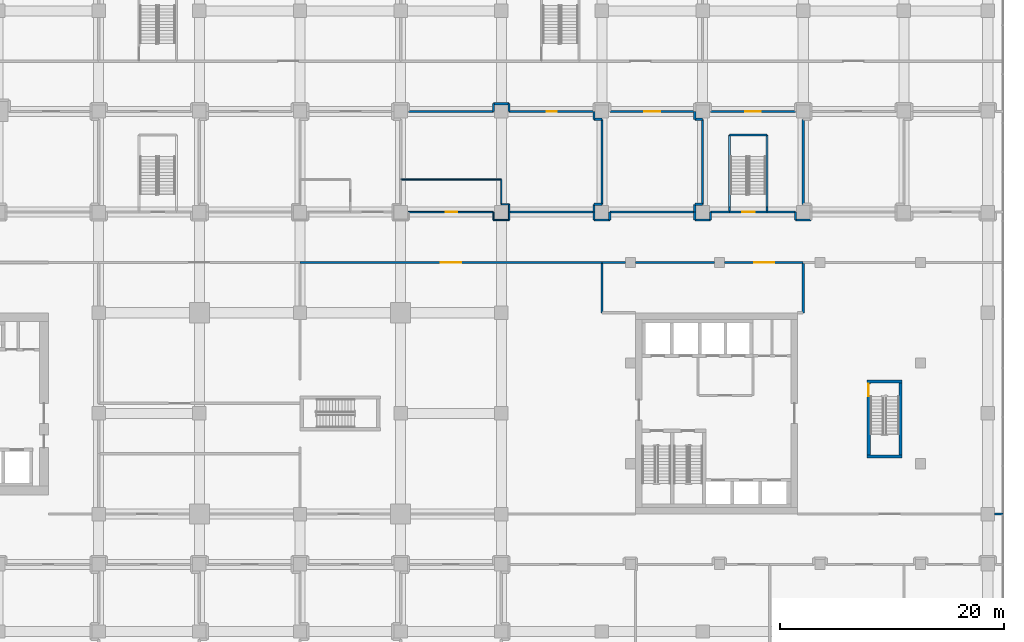
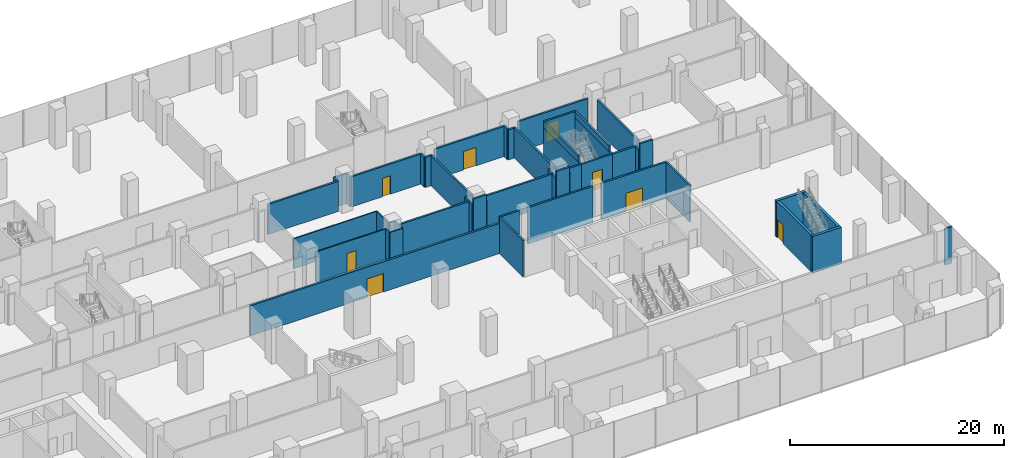
# One storey, part 35 of 43: 55 walls, 8 doors, 8 openings.
"""IFC4 building model written with IfcOpenShell, lengths in metres."""

import ifcopenshell
import ifcopenshell.guid

model = None  # the IFC model being written
_history = None  # IfcOwnerHistory: only IFC2X3 demands one
_inside = {}  # id of a spatial element -> (the spatial element, [elements in it])
_under = {}  # id of a project, library or spatial element -> (it, [spatial elements below it])
_declared = {}  # id of a project -> (the project, [libraries it declares])
_typed = {}  # id of a type object -> (the type object, [elements of that type])
_made_of = {}  # id of a material, layer set ... -> (it, [elements and type objects made of it])


def new_model(schema):
    """Start an empty IFC model of exactly this schema.

    Asked for "IFC4X3", IfcOpenShell would pick the latest addendum, in which some entities
    have other attributes; the version numbers below select the first issue.
    IFC2X3 requires an IfcOwnerHistory on every rooted entity: one is made here for all.
    """
    global model, _history
    if schema == "IFC4X3":
        model = ifcopenshell.file(schema_version=(4, 3, 0, 0))
    else:
        model = ifcopenshell.file(schema=schema)
    _inside.clear()
    _under.clear()
    _declared.clear()
    _typed.clear()
    _made_of.clear()
    _history = None
    if model.schema == "IFC2X3":
        org = make("IfcOrganization", Name="unknown")
        user = make(
            "IfcPersonAndOrganization",
            ThePerson=make("IfcPerson", FamilyName="unknown"),
            TheOrganization=org,
        )
        app = make(
            "IfcApplication",
            ApplicationDeveloper=org,
            Version="unknown",
            ApplicationFullName="unknown",
            ApplicationIdentifier="unknown",
        )
        _history = make(
            "IfcOwnerHistory",
            OwningUser=user,
            OwningApplication=app,
            ChangeAction="ADDED",
            CreationDate=0,
        )
    return model


def make(cls, **values):
    """One entity of the class cls with the attributes given. An attribute that is None is left unset."""
    return model.create_entity(
        cls, **{name: value for name, value in values.items() if value is not None}
    )


def rooted(cls, **values):
    """An entity with a GlobalId (a new one), such as an element, a storey or a relation."""
    return make(cls, GlobalId=ifcopenshell.guid.new(), OwnerHistory=_history, **values)


def si_unit(unit_type, name, prefix=None):
    """IfcSIUnit, for example si_unit("LENGTHUNIT", "METRE", prefix="MILLI")."""
    return make("IfcSIUnit", UnitType=unit_type, Prefix=prefix, Name=name)


def assignment(units):
    """IfcUnitAssignment: the units of a project."""
    return None if units is None else make("IfcUnitAssignment", Units=units)


def point(xyz):
    """IfcCartesianPoint."""
    return None if xyz is None else make("IfcCartesianPoint", Coordinates=xyz)


def direction(xyz):
    """IfcDirection."""
    return None if xyz is None else make("IfcDirection", DirectionRatios=xyz)


def frame(location, z_axis=None, x_axis=None):
    """IfcAxis2Placement3D, a coordinate frame: its origin and axes. An axis left out is left unset."""
    return make(
        "IfcAxis2Placement3D",
        Location=point(location),
        Axis=direction(z_axis),
        RefDirection=direction(x_axis),
    )


def frame_2d(location, x_axis=None):
    """IfcAxis2Placement2D, a coordinate frame in the plane: its origin and x axis."""
    return make(
        "IfcAxis2Placement2D", Location=point(location), RefDirection=direction(x_axis)
    )


def origin():
    """The frame at (0, 0, 0) with its axes left unset."""
    return frame((0.0, 0.0, 0.0))


def place(relative_to, where):
    """IfcLocalPlacement: puts the frame where relative to a parent placement (None: the world)."""
    return make(
        "IfcLocalPlacement", PlacementRelTo=relative_to, RelativePlacement=where
    )


def context(
    kind, dimensions, precision=None, world=None, true_north=None, identifier=None
):
    """IfcGeometricRepresentationContext, for example the 3D "Model" context."""
    return make(
        "IfcGeometricRepresentationContext",
        ContextIdentifier=identifier,
        ContextType=kind,
        CoordinateSpaceDimension=dimensions,
        Precision=precision,
        WorldCoordinateSystem=world,
        TrueNorth=true_north,
    )


def subcontext(parent, identifier, kind, view, scale=None):
    """IfcGeometricRepresentationSubContext, for example "Body" below "Model"."""
    return make(
        "IfcGeometricRepresentationSubContext",
        ContextIdentifier=identifier,
        ContextType=kind,
        ParentContext=parent,
        TargetScale=scale,
        TargetView=view,
    )


def project(units=None, contexts=None):
    """IfcProject with its units and contexts."""
    return rooted(
        "IfcProject",
        Name="project",
        RepresentationContexts=contexts,
        UnitsInContext=assignment(units),
    )


def spatial(cls, under=None, at=None, **own):
    """A site, building, storey or space (cls), placed at a placement, below another one or the project."""
    s = rooted(cls, ObjectPlacement=at, **own)
    if under is not None:
        _under.setdefault(under.id(), (under, []))[1].append(s)
    return s


def profile(cls, at=None, kind="AREA", **sizes):
    """A parametric profile (cls). Its sizes go by their IFC names, for example OverallWidth=200.0."""
    return make(cls, ProfileType=kind, Position=at, **sizes)


def rectangle(**sizes):
    """IfcRectangleProfileDef."""
    return profile("IfcRectangleProfileDef", **sizes)


def extrude(swept, where, along, depth):
    """IfcExtrudedAreaSolid: the profile swept, set in the frame where, extruded along a direction by depth."""
    return make(
        "IfcExtrudedAreaSolid",
        SweptArea=swept,
        Position=where,
        ExtrudedDirection=direction(along),
        Depth=depth,
    )


def shape(context_of_items, identifier, shape_type, items):
    """IfcShapeRepresentation: the items that make up one representation, for example the "Body"."""
    return make(
        "IfcShapeRepresentation",
        ContextOfItems=context_of_items,
        RepresentationIdentifier=identifier,
        RepresentationType=shape_type,
        Items=items,
    )


def material(Name=None, Category=None):
    """IfcMaterial."""
    return make("IfcMaterial", Name=Name, Category=Category)


def layer(
    of_material, thickness, ventilated=None, Name=None, Category=None, Priority=None
):
    """IfcMaterialLayer: one layer of a wall or slab, of a material (None: an air gap)."""
    return make(
        "IfcMaterialLayer",
        Material=of_material,
        LayerThickness=thickness,
        IsVentilated=ventilated,
        Name=Name,
        Category=Category,
        Priority=Priority,
    )


def layer_set(layers, Name=None):
    """IfcMaterialLayerSet."""
    return make("IfcMaterialLayerSet", MaterialLayers=layers, LayerSetName=Name)


def made_of(thing, what):
    """Note that an element or type object is made of a material, layer set ...; save() writes the relation."""
    if what is not None:
        _made_of.setdefault(what.id(), (what, []))[1].append(thing)
    return thing


def type_object(cls, material=None, **own):
    """A type object (cls), such as IfcWallType, which elements share."""
    return made_of(rooted(cls, **own), material)


def element(
    cls,
    number,
    at=None,
    inside=None,
    cuts=None,
    type_object=None,
    material=None,
    context=None,
    identifier="Body",
    shape_type=None,
    held_by="IfcProductDefinitionShape",
    body=None,
    shapes=None,
    **own,
):
    """One element of the class cls, such as IfcWall. Its Tag is "e" and its number.

    at: its placement. inside: the storey or other place that contains it. cuts: it is an
    opening in that element (IfcRelVoidsElement). A single representation is given by context,
    identifier, shape_type and body (its items); several are given by shapes. held_by: the class
    of the entity that holds the representations. save() writes the other relations.
    """
    e = rooted(cls, Tag="e%d" % number, ObjectPlacement=at, **own)
    if body is not None:
        shapes = [shape(context, identifier, shape_type, body)]
    if shapes is not None:
        e.Representation = make(held_by, Representations=shapes)
    if inside is not None:
        _inside.setdefault(inside.id(), (inside, []))[1].append(e)
    if cuts is not None:
        rooted(
            "IfcRelVoidsElement", RelatingBuildingElement=cuts, RelatedOpeningElement=e
        )
    if type_object is not None:
        _typed.setdefault(type_object.id(), (type_object, []))[1].append(e)
    return made_of(e, material)


def fill(opening, filler):
    """IfcRelFillsElement: the door or window that sits in an opening."""
    return rooted(
        "IfcRelFillsElement",
        RelatingOpeningElement=opening,
        RelatedBuildingElement=filler,
    )


def aggregate(whole, parts):
    """IfcRelAggregates: a whole, such as a stair, and the parts it consists of."""
    return rooted("IfcRelAggregates", RelatingObject=whole, RelatedObjects=parts)


def save(model, path):
    """Write the relations noted so far, then the file.

    IfcRelAggregates (storeys below a building ...), IfcRelContainedInSpatialStructure (elements
    in a storey), IfcRelDefinesByType, IfcRelAssociatesMaterial and IfcRelDeclares: one each for
    every whole, place, type object, material and project.
    """
    for whole, parts in _under.values():
        aggregate(whole, parts)
    for where, things in _inside.values():
        rooted(
            "IfcRelContainedInSpatialStructure",
            RelatedElements=things,
            RelatingStructure=where,
        )
    for kind, things in _typed.values():
        rooted("IfcRelDefinesByType", RelatedObjects=things, RelatingType=kind)
    for what, things in _made_of.values():
        rooted("IfcRelAssociatesMaterial", RelatedObjects=things, RelatingMaterial=what)
    for by, libraries in _declared.values():
        rooted("IfcRelDeclares", RelatingContext=by, RelatedDefinitions=libraries)
    model.write(path)


model = new_model("IFC4")

# Units and contexts
model_context = context("Model", 3, precision=1e-05, world=origin(), true_north=direction((0.0, 1.0)))
body_context = subcontext(model_context, "Body", "Model", "MODEL_VIEW")
ifc_project = project(units=[si_unit("LENGTHUNIT", "METRE"), si_unit("AREAUNIT", "SQUARE_METRE"), si_unit("VOLUMEUNIT", "CUBIC_METRE"), si_unit("PLANEANGLEUNIT", "RADIAN"), si_unit("MASSUNIT", "GRAM", prefix="KILO")], contexts=[model_context])

# Site, building, storey
site_placement = place(None, origin())
site = spatial("IfcSite", under=ifc_project, at=site_placement, CompositionType="ELEMENT")
building_placement = place(site_placement, origin())
building = spatial("IfcBuilding", under=site, at=building_placement, Name="Plateau Cross Towers", CompositionType="ELEMENT")
storey_placement = place(building_placement, frame((0.0, 0.0, 12.800048828125)))
storey = spatial("IfcBuildingStorey", under=building, at=storey_placement, Name="L02", CompositionType="ELEMENT", Elevation=12.800048828125)

# Wall, opening, door
ifc_material_1 = material(Name="Concrete C60/75", Category="concrete")
ifc_layer_1 = layer(ifc_material_1, 0.300048828125)
ifc_layer_set_1 = layer_set([ifc_layer_1], Name="Concrete C60/75")
wall_type_1 = type_object("IfcWallType", Name="Core shaft wall 300", PredefinedType="SHEAR", material=ifc_layer_set_1)
wall_1_placement = place(storey_placement, frame((95.85009765625, 5.300048828125, 0.0), z_axis=(0.0, 0.0, 1.0), x_axis=(0.0, 1.0, 0.0)))
wall_1 = element("IfcWall", 1, at=wall_1_placement, inside=storey, type_object=wall_type_1, Name="B-sb3-W@L02", PredefinedType="SHEAR", context=body_context, shape_type="SweptSolid", body=[
    extrude(rectangle(XDim=6.39990234375, YDim=0.300048828125, at=frame_2d((3.199951171875, 0.0))), origin(), (0.0, 0.0, 1.0), 4.14990234375),
])
opening_1_placement = place(wall_1_placement, frame((5.25, 0.0, 0.0)))
opening_1 = element("IfcOpeningElement", 2, at=opening_1_placement, cuts=wall_1, Name="Opening SD", PredefinedType="OPENING", context=body_context, shape_type="SweptSolid", body=[
    extrude(rectangle(XDim=1.10009765625, YDim=2.10009765625, at=frame_2d((0.550048828125, 1.050048828125))), frame((0.0, 0.159912109375, 0.0), z_axis=(0.0, -1.0, 0.0), x_axis=(1.0, 0.0, 0.0)), (0.0, 0.0, 1.0), 0.320068359375),
])
ifc_material_2 = material(Name="Steel, fire-resisting leaf", Category="steel")
door_type_1 = type_object("IfcDoorType", Name="Stair door 1100", OperationType="NOTDEFINED", PredefinedType="DOOR", material=ifc_material_2)
door_1_placement = place(opening_1_placement, origin())
door_1 = element("IfcDoor", 3, at=door_1_placement, inside=storey, type_object=door_type_1, Name="Stair door SD", OperationType="SINGLE_SWING_LEFT", OverallHeight=2.10009765625, OverallWidth=1.10009765625, PredefinedType="DOOR", context=body_context, shape_type="SweptSolid", body=[
    extrude(rectangle(XDim=1.10009765625, YDim=2.10009765625, at=frame_2d((0.550048828125, 1.050048828125))), frame((0.0, 0.02490234375, 0.0), z_axis=(0.0, -1.0, 0.0), x_axis=(1.0, 0.0, 0.0)), (0.0, 0.0, 1.0), 0.050048828125),
])
fill(opening_1, door_1)

# Walls
wall_2_placement = place(storey_placement, frame((98.699951171875, 5.300048828125, 0.0), z_axis=(0.0, 0.0, 1.0), x_axis=(0.0, 1.0, 0.0)))
element("IfcWall", 4, at=wall_2_placement, inside=storey, type_object=wall_type_1, Name="B-sb3-E@L02", PredefinedType="SHEAR", context=body_context, shape_type="SweptSolid", body=[
    extrude(rectangle(XDim=6.39990234375, YDim=0.300048828125, at=frame_2d((3.199951171875, 0.0))), origin(), (0.0, 0.0, 1.0), 4.14990234375),
])
for number, where, z_axis, x_axis, name in (
    (5, (95.699951171875, 5.14990234375, 0.0), (0.0, 0.0, 1.0), (1.0, 0.0, 0.0), "B-sb3-S@L02"),
    (6, (95.699951171875, 11.85009765625, 0.0), (0.0, 0.0, 1.0), (1.0, 0.0, 0.0), "B-sb3-N@L02"),
):
    element("IfcWall", number, at=place(storey_placement, frame(where, z_axis=z_axis, x_axis=x_axis)), inside=storey, type_object=wall_type_1, Name=name, PredefinedType="SHEAR", context=body_context, shape_type="SweptSolid", body=[
        extrude(rectangle(XDim=3.150146484375, YDim=0.300048828125, at=frame_2d((1.5751953125, 0.0))), origin(), (0.0, 0.0, 1.0), 4.14990234375),
    ])

# Wall, opening, door
ifc_material_3 = material(Name="Gypsum board on steel studs, two layers each side", Category="steel")
ifc_layer_2 = layer(ifc_material_3, 0.199951171875)
ifc_layer_set_2 = layer_set([ifc_layer_2], Name="Gypsum board on steel studs, two layers each side")
wall_type_2 = type_object("IfcWallType", Name="Podium compartment wall 200", PredefinedType="PARTITIONING", material=ifc_layer_set_2)
wall_3_placement = place(storey_placement, frame((71.300048828125, 36.0, 0.0), z_axis=(0.0, 0.0, 1.0), x_axis=(-1.0, 0.0, 0.0)))
wall_3 = element("IfcWall", 7, at=wall_3_placement, inside=storey, type_object=wall_type_2, Name="Partition wall", PredefinedType="PARTITIONING", context=body_context, shape_type="SweptSolid", body=[
    extrude(rectangle(XDim=7.60009765625, YDim=0.199951171875, at=frame_2d((3.800048828125, 0.0))), origin(), (0.0, 0.0, 1.0), 3.449951171875),
])
opening_2_placement = place(wall_3_placement, frame((3.35009765625, 0.0, 0.0)))
opening_2 = element("IfcOpeningElement", 8, at=opening_2_placement, cuts=wall_3, Name="Opening 02-26", PredefinedType="OPENING", context=body_context, shape_type="SweptSolid", body=[
    extrude(rectangle(XDim=0.89990234375, YDim=2.10009765625, at=frame_2d((0.449951171875, 1.050048828125))), frame((0.0, 0.10986328125, 0.0), z_axis=(0.0, -1.0, 0.0), x_axis=(1.0, 0.0, 0.0)), (0.0, 0.0, 1.0), 0.219970703125),
])
ifc_material_4 = material(Name="Timber, fire-resisting leaf", Category="wood")
door_type_2 = type_object("IfcDoorType", Name="Podium service door 900", OperationType="NOTDEFINED", PredefinedType="DOOR", material=ifc_material_4)
door_2_placement = place(opening_2_placement, origin())
door_2 = element("IfcDoor", 9, at=door_2_placement, inside=storey, type_object=door_type_2, Name="Door 02-26", OperationType="SINGLE_SWING_LEFT", OverallHeight=2.10009765625, OverallWidth=0.89990234375, PredefinedType="DOOR", context=body_context, shape_type="SweptSolid", body=[
    extrude(rectangle(XDim=0.89990234375, YDim=2.10009765625, at=frame_2d((0.449951171875, 1.050048828125))), frame((0.0, 0.02490234375, 0.0), z_axis=(0.0, -1.0, 0.0), x_axis=(1.0, 0.0, 0.0)), (0.0, 0.0, 1.0), 0.050048828125),
])
fill(opening_2, door_2)

ifc_material_5 = material(Name="Gypsum board on steel studs", Category="steel")
ifc_layer_3 = layer(ifc_material_5, 0.199951171875)
ifc_layer_set_3 = layer_set([ifc_layer_3], Name="Gypsum board on steel studs")
wall_type_3 = type_object("IfcWallType", Name="Podium partition 200", PredefinedType="PARTITIONING", material=ifc_layer_set_3)
wall_4_placement = place(storey_placement, frame((72.0, 22.5, 0.0), z_axis=(0.0, 0.0, 1.0), x_axis=(-1.0, 0.0, 0.0)))
wall_4 = element("IfcWall", 10, at=wall_4_placement, inside=storey, type_object=wall_type_3, Name="Partition wall", PredefinedType="PARTITIONING", context=body_context, shape_type="SweptSolid", body=[
    extrude(rectangle(XDim=27.0, YDim=0.199951171875, at=frame_2d((13.5, 0.0))), origin(), (0.0, 0.0, 1.0), 3.449951171875),
])
opening_3_placement = place(wall_4_placement, frame((12.60009765625, 0.0, 0.0)))
opening_3 = element("IfcOpeningElement", 11, at=opening_3_placement, cuts=wall_4, Name="Opening 02-34", PredefinedType="OPENING", context=body_context, shape_type="SweptSolid", body=[
    extrude(rectangle(XDim=1.800048828125, YDim=2.10009765625, at=frame_2d((0.89990234375, 1.050048828125))), frame((0.0, 0.10986328125, 0.0), z_axis=(0.0, -1.0, 0.0), x_axis=(1.0, 0.0, 0.0)), (0.0, 0.0, 1.0), 0.219970703125),
])
ifc_material_6 = material(Name="Aluminium frame, toughened glass", Category="aluminium")
door_type_3 = type_object("IfcDoorType", Name="Podium door pair 1800", OperationType="NOTDEFINED", PredefinedType="DOOR", material=ifc_material_6)
door_3_placement = place(opening_3_placement, origin())
door_3 = element("IfcDoor", 12, at=door_3_placement, inside=storey, type_object=door_type_3, Name="Door 02-34", OperationType="DOUBLE_DOOR_SINGLE_SWING", OverallHeight=2.10009765625, OverallWidth=1.800048828125, PredefinedType="DOOR", context=body_context, shape_type="SweptSolid", body=[
    extrude(rectangle(XDim=1.800048828125, YDim=2.10009765625, at=frame_2d((0.89990234375, 1.050048828125))), frame((0.0, 0.02490234375, 0.0), z_axis=(0.0, -1.0, 0.0), x_axis=(1.0, 0.0, 0.0)), (0.0, 0.0, 1.0), 0.050048828125),
])
fill(opening_3, door_3)

# Walls
wall_5_placement = place(storey_placement, frame((63.699951171875, 36.0, 0.0), z_axis=(0.0, 0.0, 1.0), x_axis=(0.0, 1.0, 0.0)))
element("IfcWall", 13, at=wall_5_placement, inside=storey, type_object=wall_type_3, Name="Partition wall", PredefinedType="PARTITIONING", context=body_context, shape_type="SweptSolid", body=[
    extrude(rectangle(XDim=0.699951171875, YDim=0.199951171875, at=frame_2d((0.35009765625, 0.0))), origin(), (0.0, 0.0, 1.0), 3.449951171875),
])
wall_6_placement = place(storey_placement, frame((63.699951171875, 36.699951171875, 0.0), z_axis=(0.0, 0.0, 1.0), x_axis=(-1.0, 0.0, 0.0)))
element("IfcWall", 14, at=wall_6_placement, inside=storey, type_object=wall_type_3, Name="Partition wall", PredefinedType="PARTITIONING", context=body_context, shape_type="SweptSolid", body=[
    extrude(rectangle(XDim=1.39990234375, YDim=0.199951171875, at=frame_2d((0.699951171875, 0.0))), origin(), (0.0, 0.0, 1.0), 3.449951171875),
])
wall_7_placement = place(storey_placement, frame((62.300048828125, 36.699951171875, 0.0), z_axis=(0.0, 0.0, 1.0), x_axis=(0.0, -1.0, 0.0)))
element("IfcWall", 15, at=wall_7_placement, inside=storey, type_object=wall_type_3, Name="Partition wall", PredefinedType="PARTITIONING", context=body_context, shape_type="SweptSolid", body=[
    extrude(rectangle(XDim=0.699951171875, YDim=0.199951171875, at=frame_2d((0.35009765625, 0.0))), origin(), (0.0, 0.0, 1.0), 3.449951171875),
])
wall_8_placement = place(storey_placement, frame((62.300048828125, 36.0, 0.0), z_axis=(0.0, 0.0, 1.0), x_axis=(-1.0, 0.0, 0.0)))
element("IfcWall", 16, at=wall_8_placement, inside=storey, type_object=wall_type_3, Name="Partition wall", PredefinedType="PARTITIONING", context=body_context, shape_type="SweptSolid", body=[
    extrude(rectangle(XDim=7.60009765625, YDim=0.199951171875, at=frame_2d((3.800048828125, 0.0))), origin(), (0.0, 0.0, 1.0), 3.449951171875),
])
wall_9_placement = place(storey_placement, frame((107.10009765625, 0.0, 0.0), z_axis=(0.0, 0.0, 1.0), x_axis=(1.0, 0.0, 0.0)))
element("IfcWall", 17, at=wall_9_placement, inside=storey, type_object=wall_type_3, Name="Partition wall", PredefinedType="PARTITIONING", context=body_context, shape_type="SweptSolid", body=[
    extrude(rectangle(XDim=0.75, YDim=0.199951171875, at=frame_2d((0.375, 0.0))), origin(), (0.0, 0.0, 1.0), 4.14990234375),
])

# Wall, opening, door
wall_10_placement = place(storey_placement, frame((90.0, 22.5, 0.0), z_axis=(0.0, 0.0, 1.0), x_axis=(-1.0, 0.0, 0.0)))
wall_10 = element("IfcWall", 18, at=wall_10_placement, inside=storey, type_object=wall_type_3, Name="Partition wall", PredefinedType="PARTITIONING", context=body_context, shape_type="SweptSolid", body=[
    extrude(rectangle(XDim=7.050048828125, YDim=0.199951171875, at=frame_2d((3.52490234375, 0.0))), origin(), (0.0, 0.0, 1.0), 4.14990234375),
])
opening_4_placement = place(wall_10_placement, frame((2.60009765625, 0.0, 0.0)))
opening_4 = element("IfcOpeningElement", 19, at=opening_4_placement, cuts=wall_10, Name="Opening 02-40", PredefinedType="OPENING", context=body_context, shape_type="SweptSolid", body=[
    extrude(rectangle(XDim=1.800048828125, YDim=2.10009765625, at=frame_2d((0.89990234375, 1.050048828125))), frame((0.0, 0.10986328125, 0.0), z_axis=(0.0, -1.0, 0.0), x_axis=(1.0, 0.0, 0.0)), (0.0, 0.0, 1.0), 0.219970703125),
])
door_4_placement = place(opening_4_placement, origin())
door_4 = element("IfcDoor", 20, at=door_4_placement, inside=storey, type_object=door_type_3, Name="Door 02-40", OperationType="DOUBLE_DOOR_SINGLE_SWING", OverallHeight=2.10009765625, OverallWidth=1.800048828125, PredefinedType="DOOR", context=body_context, shape_type="SweptSolid", body=[
    extrude(rectangle(XDim=1.800048828125, YDim=2.10009765625, at=frame_2d((0.89990234375, 1.050048828125))), frame((0.0, 0.02490234375, 0.0), z_axis=(0.0, -1.0, 0.0), x_axis=(1.0, 0.0, 0.0)), (0.0, 0.0, 1.0), 0.050048828125),
])
fill(opening_4, door_4)

# Walls
wall_11_placement = place(storey_placement, frame((82.050048828125, 22.5, 0.0), z_axis=(0.0, 0.0, 1.0), x_axis=(-1.0, 0.0, 0.0)))
element("IfcWall", 21, at=wall_11_placement, inside=storey, type_object=wall_type_3, Name="Partition wall", PredefinedType="PARTITIONING", context=body_context, shape_type="SweptSolid", body=[
    extrude(rectangle(XDim=7.050048828125, YDim=0.199951171875, at=frame_2d((3.52490234375, 0.0))), origin(), (0.0, 0.0, 1.0), 4.14990234375),
])
wall_12_placement = place(storey_placement, frame((74.10009765625, 22.5, 0.0), z_axis=(0.0, 0.0, 1.0), x_axis=(-1.0, 0.0, 0.0)))
element("IfcWall", 22, at=wall_12_placement, inside=storey, type_object=wall_type_3, Name="Partition wall", PredefinedType="PARTITIONING", context=body_context, shape_type="SweptSolid", body=[
    extrude(rectangle(XDim=2.10009765625, YDim=0.199951171875, at=frame_2d((1.050048828125, 0.0))), origin(), (0.0, 0.0, 1.0), 4.14990234375),
])

# Wall, opening, door
wall_13_placement = place(storey_placement, frame((89.300048828125, 36.0, 0.0), z_axis=(0.0, 0.0, 1.0), x_axis=(-1.0, 0.0, 0.0)))
wall_13 = element("IfcWall", 23, at=wall_13_placement, inside=storey, type_object=wall_type_3, Name="Partition wall", PredefinedType="PARTITIONING", context=body_context, shape_type="SweptSolid", body=[
    extrude(rectangle(XDim=7.60009765625, YDim=0.199951171875, at=frame_2d((3.800048828125, 0.0))), origin(), (0.0, 0.0, 1.0), 3.449951171875),
])
opening_5_placement = place(wall_13_placement, frame((3.10009765625, 0.0, 0.0)))
opening_5 = element("IfcOpeningElement", 24, at=opening_5_placement, cuts=wall_13, Name="Opening 02-28", PredefinedType="OPENING", context=body_context, shape_type="SweptSolid", body=[
    extrude(rectangle(XDim=1.39990234375, YDim=2.10009765625, at=frame_2d((0.699951171875, 1.050048828125))), frame((0.0, 0.10986328125, 0.0), z_axis=(0.0, -1.0, 0.0), x_axis=(1.0, 0.0, 0.0)), (0.0, 0.0, 1.0), 0.219970703125),
])
ifc_material_7 = material(Name="Timber, hospital grade leaf", Category="wood")
door_type_4 = type_object("IfcDoorType", Name="Clinic bed access door 1400x2100", OperationType="NOTDEFINED", PredefinedType="DOOR", material=ifc_material_7)
door_5_placement = place(opening_5_placement, origin())
door_5 = element("IfcDoor", 25, at=door_5_placement, inside=storey, type_object=door_type_4, Name="Door 02-28", OperationType="SINGLE_SWING_LEFT", OverallHeight=2.10009765625, OverallWidth=1.39990234375, PredefinedType="DOOR", context=body_context, shape_type="SweptSolid", body=[
    extrude(rectangle(XDim=1.39990234375, YDim=2.10009765625, at=frame_2d((0.699951171875, 1.050048828125))), frame((0.0, 0.02490234375, 0.0), z_axis=(0.0, -1.0, 0.0), x_axis=(1.0, 0.0, 0.0)), (0.0, 0.0, 1.0), 0.050048828125),
])
fill(opening_5, door_5)

wall_14_placement = place(storey_placement, frame((80.300048828125, 36.0, 0.0), z_axis=(0.0, 0.0, 1.0), x_axis=(-1.0, 0.0, 0.0)))
wall_14 = element("IfcWall", 26, at=wall_14_placement, inside=storey, type_object=wall_type_3, Name="Partition wall", PredefinedType="PARTITIONING", context=body_context, shape_type="SweptSolid", body=[
    extrude(rectangle(XDim=7.60009765625, YDim=0.199951171875, at=frame_2d((3.800048828125, 0.0))), origin(), (0.0, 0.0, 1.0), 3.449951171875),
])
opening_6_placement = place(wall_14_placement, frame((3.10009765625, 0.0, 0.0)))
opening_6 = element("IfcOpeningElement", 27, at=opening_6_placement, cuts=wall_14, Name="Opening 02-27", PredefinedType="OPENING", context=body_context, shape_type="SweptSolid", body=[
    extrude(rectangle(XDim=1.39990234375, YDim=2.10009765625, at=frame_2d((0.699951171875, 1.050048828125))), frame((0.0, 0.10986328125, 0.0), z_axis=(0.0, -1.0, 0.0), x_axis=(1.0, 0.0, 0.0)), (0.0, 0.0, 1.0), 0.219970703125),
])
door_6_placement = place(opening_6_placement, origin())
door_6 = element("IfcDoor", 28, at=door_6_placement, inside=storey, type_object=door_type_4, Name="Door 02-27", OperationType="SINGLE_SWING_LEFT", OverallHeight=2.10009765625, OverallWidth=1.39990234375, PredefinedType="DOOR", context=body_context, shape_type="SweptSolid", body=[
    extrude(rectangle(XDim=1.39990234375, YDim=2.10009765625, at=frame_2d((0.699951171875, 1.050048828125))), frame((0.0, 0.02490234375, 0.0), z_axis=(0.0, -1.0, 0.0), x_axis=(1.0, 0.0, 0.0)), (0.0, 0.0, 1.0), 0.050048828125),
])
fill(opening_6, door_6)

# Walls
wall_15_placement = place(storey_placement, frame((71.300048828125, 27.0, 0.0), z_axis=(0.0, 0.0, 1.0), x_axis=(0.0, -1.0, 0.0)))
element("IfcWall", 29, at=wall_15_placement, inside=storey, type_object=wall_type_3, Name="Partition wall", PredefinedType="PARTITIONING", context=body_context, shape_type="SweptSolid", body=[
    extrude(rectangle(XDim=0.699951171875, YDim=0.199951171875, at=frame_2d((0.35009765625, 0.0))), origin(), (0.0, 0.0, 1.0), 3.449951171875),
])
wall_16_placement = place(storey_placement, frame((71.300048828125, 26.300048828125, 0.0), z_axis=(0.0, 0.0, 1.0), x_axis=(1.0, 0.0, 0.0)))
element("IfcWall", 30, at=wall_16_placement, inside=storey, type_object=wall_type_3, Name="Partition wall", PredefinedType="PARTITIONING", context=body_context, shape_type="SweptSolid", body=[
    extrude(rectangle(XDim=1.39990234375, YDim=0.199951171875, at=frame_2d((0.699951171875, 0.0))), origin(), (0.0, 0.0, 1.0), 4.14990234375),
])
wall_17_placement = place(storey_placement, frame((72.699951171875, 26.300048828125, 0.0), z_axis=(0.0, 0.0, 1.0), x_axis=(0.0, 1.0, 0.0)))
element("IfcWall", 31, at=wall_17_placement, inside=storey, type_object=wall_type_3, Name="Partition wall", PredefinedType="PARTITIONING", context=body_context, shape_type="SweptSolid", body=[
    extrude(rectangle(XDim=0.699951171875, YDim=0.199951171875, at=frame_2d((0.35009765625, 0.0))), origin(), (0.0, 0.0, 1.0), 3.449951171875),
])
wall_18_placement = place(storey_placement, frame((72.699951171875, 27.0, 0.0), z_axis=(0.0, 0.0, 1.0), x_axis=(1.0, 0.0, 0.0)))
element("IfcWall", 32, at=wall_18_placement, inside=storey, type_object=wall_type_3, Name="Partition wall", PredefinedType="PARTITIONING", context=body_context, shape_type="SweptSolid", body=[
    extrude(rectangle(XDim=7.60009765625, YDim=0.199951171875, at=frame_2d((3.800048828125, 0.0))), origin(), (0.0, 0.0, 1.0), 3.449951171875),
])
for number, where, z_axis, x_axis, name in (
    (33, (80.300048828125, 36.0, 0.0), (0.0, 0.0, 1.0), (0.0, -1.0, 0.0), "Partition wall"),
    (34, (80.300048828125, 35.300048828125, 0.0), (0.0, 0.0, 1.0), (1.0, 0.0, 0.0), "Partition wall"),
):
    element("IfcWall", number, at=place(storey_placement, frame(where, z_axis=z_axis, x_axis=x_axis)), inside=storey, type_object=wall_type_3, Name=name, PredefinedType="PARTITIONING", context=body_context, shape_type="SweptSolid", body=[
        extrude(rectangle(XDim=0.699951171875, YDim=0.199951171875, at=frame_2d((0.35009765625, 0.0))), origin(), (0.0, 0.0, 1.0), 3.449951171875),
    ])
wall_19_placement = place(storey_placement, frame((81.0, 35.300048828125, 0.0), z_axis=(0.0, 0.0, 1.0), x_axis=(0.0, -1.0, 0.0)))
element("IfcWall", 35, at=wall_19_placement, inside=storey, type_object=wall_type_3, Name="Partition wall", PredefinedType="PARTITIONING", context=body_context, shape_type="SweptSolid", body=[
    extrude(rectangle(XDim=7.60009765625, YDim=0.199951171875, at=frame_2d((3.800048828125, 0.0))), origin(), (0.0, 0.0, 1.0), 3.449951171875),
])
for number, where, z_axis, x_axis, name in (
    (36, (81.0, 27.699951171875, 0.0), (0.0, 0.0, 1.0), (-1.0, 0.0, 0.0), "Partition wall"),
    (37, (80.300048828125, 27.699951171875, 0.0), (0.0, 0.0, 1.0), (0.0, -1.0, 0.0), "Partition wall"),
    (38, (71.300048828125, 36.0, 0.0), (0.0, 0.0, 1.0), (0.0, -1.0, 0.0), "Partition wall"),
    (39, (71.300048828125, 35.300048828125, 0.0), (0.0, 0.0, 1.0), (1.0, 0.0, 0.0), "Partition wall"),
):
    element("IfcWall", number, at=place(storey_placement, frame(where, z_axis=z_axis, x_axis=x_axis)), inside=storey, type_object=wall_type_3, Name=name, PredefinedType="PARTITIONING", context=body_context, shape_type="SweptSolid", body=[
        extrude(rectangle(XDim=0.699951171875, YDim=0.199951171875, at=frame_2d((0.35009765625, 0.0))), origin(), (0.0, 0.0, 1.0), 3.449951171875),
    ])
wall_20_placement = place(storey_placement, frame((72.0, 35.300048828125, 0.0), z_axis=(0.0, 0.0, 1.0), x_axis=(0.0, -1.0, 0.0)))
element("IfcWall", 40, at=wall_20_placement, inside=storey, type_object=wall_type_3, Name="Partition wall", PredefinedType="PARTITIONING", context=body_context, shape_type="SweptSolid", body=[
    extrude(rectangle(XDim=7.60009765625, YDim=0.199951171875, at=frame_2d((3.800048828125, 0.0))), origin(), (0.0, 0.0, 1.0), 3.449951171875),
])
for number, where, z_axis, x_axis, name in (
    (41, (72.0, 27.699951171875, 0.0), (0.0, 0.0, 1.0), (-1.0, 0.0, 0.0), "Partition wall"),
    (42, (71.300048828125, 27.699951171875, 0.0), (0.0, 0.0, 1.0), (0.0, -1.0, 0.0), "Partition wall"),
):
    element("IfcWall", number, at=place(storey_placement, frame(where, z_axis=z_axis, x_axis=x_axis)), inside=storey, type_object=wall_type_3, Name=name, PredefinedType="PARTITIONING", context=body_context, shape_type="SweptSolid", body=[
        extrude(rectangle(XDim=0.699951171875, YDim=0.199951171875, at=frame_2d((0.35009765625, 0.0))), origin(), (0.0, 0.0, 1.0), 3.449951171875),
    ])
wall_21_placement = place(storey_placement, frame((90.0, 35.300048828125, 0.0), z_axis=(0.0, 0.0, 1.0), x_axis=(0.0, -1.0, 0.0)))
element("IfcWall", 43, at=wall_21_placement, inside=storey, type_object=wall_type_3, Name="Partition wall", PredefinedType="PARTITIONING", context=body_context, shape_type="SweptSolid", body=[
    extrude(rectangle(XDim=7.60009765625, YDim=0.199951171875, at=frame_2d((3.800048828125, 0.0))), origin(), (0.0, 0.0, 1.0), 3.449951171875),
])
wall_22_placement = place(storey_placement, frame((63.800048828125, 27.0, 0.0), z_axis=(0.0, 0.0, 1.0), x_axis=(1.0, 0.0, 0.0)))
element("IfcWall", 44, at=wall_22_placement, inside=storey, type_object=wall_type_3, Name="Partition wall", PredefinedType="PARTITIONING", context=body_context, shape_type="SweptSolid", body=[
    extrude(rectangle(XDim=7.39990234375, YDim=0.199951171875, at=frame_2d((3.699951171875, 0.0))), origin(), (0.0, 0.0, 1.0), 3.449951171875),
])
wall_23_placement = place(storey_placement, frame((72.0, 18.0, 0.0), z_axis=(0.0, 0.0, 1.0), x_axis=(0.0, 1.0, 0.0)))
element("IfcWall", 45, at=wall_23_placement, inside=storey, type_object=wall_type_3, Name="Partition wall", PredefinedType="PARTITIONING", context=body_context, shape_type="SweptSolid", body=[
    extrude(rectangle(XDim=4.39990234375, YDim=0.199951171875, at=frame_2d((2.199951171875, 0.0))), origin(), (0.0, 0.0, 1.0), 4.14990234375),
])
wall_24_placement = place(storey_placement, frame((86.75, 27.0, 0.0), z_axis=(0.0, 0.0, 1.0), x_axis=(1.0, 0.0, 0.0)))
element("IfcWall", 46, at=wall_24_placement, inside=storey, type_object=wall_type_3, Name="Partition wall", PredefinedType="PARTITIONING", context=body_context, shape_type="SweptSolid", body=[
    extrude(rectangle(XDim=2.550048828125, YDim=0.199951171875, at=frame_2d((1.27490234375, 0.0))), origin(), (0.0, 0.0, 1.0), 3.449951171875),
])
wall_25_placement = place(storey_placement, frame((89.300048828125, 27.0, 0.0), z_axis=(0.0, 0.0, 1.0), x_axis=(0.0, -1.0, 0.0)))
element("IfcWall", 47, at=wall_25_placement, inside=storey, type_object=wall_type_3, Name="Partition wall", PredefinedType="PARTITIONING", context=body_context, shape_type="SweptSolid", body=[
    extrude(rectangle(XDim=0.699951171875, YDim=0.199951171875, at=frame_2d((0.35009765625, 0.0))), origin(), (0.0, 0.0, 1.0), 3.449951171875),
])
wall_26_placement = place(storey_placement, frame((89.300048828125, 26.300048828125, 0.0), z_axis=(0.0, 0.0, 1.0), x_axis=(1.0, 0.0, 0.0)))
element("IfcWall", 48, at=wall_26_placement, inside=storey, type_object=wall_type_3, Name="Partition wall", PredefinedType="PARTITIONING", context=body_context, shape_type="SweptSolid", body=[
    extrude(rectangle(XDim=1.39990234375, YDim=0.199951171875, at=frame_2d((0.699951171875, 0.0))), origin(), (0.0, 0.0, 1.0), 4.14990234375),
])
wall_27_placement = place(storey_placement, frame((80.300048828125, 27.0, 0.0), z_axis=(0.0, 0.0, 1.0), x_axis=(0.0, -1.0, 0.0)))
element("IfcWall", 49, at=wall_27_placement, inside=storey, type_object=wall_type_3, Name="Partition wall", PredefinedType="PARTITIONING", context=body_context, shape_type="SweptSolid", body=[
    extrude(rectangle(XDim=0.699951171875, YDim=0.199951171875, at=frame_2d((0.35009765625, 0.0))), origin(), (0.0, 0.0, 1.0), 3.449951171875),
])
wall_28_placement = place(storey_placement, frame((80.300048828125, 26.300048828125, 0.0), z_axis=(0.0, 0.0, 1.0), x_axis=(1.0, 0.0, 0.0)))
element("IfcWall", 50, at=wall_28_placement, inside=storey, type_object=wall_type_3, Name="Partition wall", PredefinedType="PARTITIONING", context=body_context, shape_type="SweptSolid", body=[
    extrude(rectangle(XDim=1.39990234375, YDim=0.199951171875, at=frame_2d((0.699951171875, 0.0))), origin(), (0.0, 0.0, 1.0), 4.14990234375),
])
wall_29_placement = place(storey_placement, frame((81.699951171875, 26.300048828125, 0.0), z_axis=(0.0, 0.0, 1.0), x_axis=(0.0, 1.0, 0.0)))
element("IfcWall", 51, at=wall_29_placement, inside=storey, type_object=wall_type_3, Name="Partition wall", PredefinedType="PARTITIONING", context=body_context, shape_type="SweptSolid", body=[
    extrude(rectangle(XDim=0.699951171875, YDim=0.199951171875, at=frame_2d((0.35009765625, 0.0))), origin(), (0.0, 0.0, 1.0), 3.449951171875),
])
wall_30_placement = place(storey_placement, frame((81.699951171875, 27.0, 0.0), z_axis=(0.0, 0.0, 1.0), x_axis=(1.0, 0.0, 0.0)))
element("IfcWall", 52, at=wall_30_placement, inside=storey, type_object=wall_type_3, Name="Partition wall", PredefinedType="PARTITIONING", context=body_context, shape_type="SweptSolid", body=[
    extrude(rectangle(XDim=1.699951171875, YDim=0.199951171875, at=frame_2d((0.85009765625, 0.0))), origin(), (0.0, 0.0, 1.0), 3.449951171875),
])
wall_31_placement = place(storey_placement, frame((90.0, 22.39990234375, 0.0), z_axis=(0.0, 0.0, 1.0), x_axis=(0.0, -1.0, 0.0)))
element("IfcWall", 53, at=wall_31_placement, inside=storey, type_object=wall_type_3, Name="Partition wall", PredefinedType="PARTITIONING", context=body_context, shape_type="SweptSolid", body=[
    extrude(rectangle(XDim=4.39990234375, YDim=0.199951171875, at=frame_2d((2.199951171875, 0.0))), origin(), (0.0, 0.0, 1.0), 4.14990234375),
])
ifc_material_8 = material(Name="Fire-rated plasterboard shaft wall system")
ifc_layer_4 = layer(ifc_material_8, 0.199951171875)
ifc_layer_set_4 = layer_set([ifc_layer_4], Name="Fire-rated plasterboard shaft wall system")
wall_type_4 = type_object("IfcWallType", Name="Podium stair shaft wall 200", PredefinedType="PARTITIONING", material=ifc_layer_set_4)
wall_32_placement = place(storey_placement, frame((83.39990234375, 27.0, 0.0), z_axis=(0.0, 0.0, 1.0), x_axis=(0.0, 1.0, 0.0)))
element("IfcWall", 54, at=wall_32_placement, inside=storey, type_object=wall_type_4, Name="Partition wall", PredefinedType="PARTITIONING", context=body_context, shape_type="SweptSolid", body=[
    extrude(rectangle(XDim=6.89990234375, YDim=0.199951171875, at=frame_2d((3.449951171875, 0.0))), origin(), (0.0, 0.0, 1.0), 3.449951171875),
])
wall_33_placement = place(storey_placement, frame((83.39990234375, 33.89990234375, 0.0), z_axis=(0.0, 0.0, 1.0), x_axis=(1.0, 0.0, 0.0)))
element("IfcWall", 55, at=wall_33_placement, inside=storey, type_object=wall_type_4, Name="Partition wall", PredefinedType="PARTITIONING", context=body_context, shape_type="SweptSolid", body=[
    extrude(rectangle(XDim=3.35009765625, YDim=0.199951171875, at=frame_2d((1.675048828125, 0.0))), origin(), (0.0, 0.0, 1.0), 4.14990234375),
])
wall_34_placement = place(storey_placement, frame((86.75, 33.89990234375, 0.0), z_axis=(0.0, 0.0, 1.0), x_axis=(0.0, -1.0, 0.0)))
element("IfcWall", 56, at=wall_34_placement, inside=storey, type_object=wall_type_4, Name="Partition wall", PredefinedType="PARTITIONING", context=body_context, shape_type="SweptSolid", body=[
    extrude(rectangle(XDim=6.89990234375, YDim=0.199951171875, at=frame_2d((3.449951171875, 0.0))), origin(), (0.0, 0.0, 1.0), 3.449951171875),
])

# Wall, opening, door
wall_35_placement = place(storey_placement, frame((86.75, 27.0, 0.0), z_axis=(0.0, 0.0, 1.0), x_axis=(-1.0, 0.0, 0.0)))
wall_35 = element("IfcWall", 57, at=wall_35_placement, inside=storey, type_object=wall_type_4, Name="Partition wall", PredefinedType="PARTITIONING", context=body_context, shape_type="SweptSolid", body=[
    extrude(rectangle(XDim=3.35009765625, YDim=0.199951171875, at=frame_2d((1.675048828125, 0.0))), origin(), (0.0, 0.0, 1.0), 3.449951171875),
])
opening_7_placement = place(wall_35_placement, frame((1.10009765625, 0.0, 0.0)))
opening_7 = element("IfcOpeningElement", 58, at=opening_7_placement, cuts=wall_35, Name="Opening 02-05", PredefinedType="OPENING", context=body_context, shape_type="SweptSolid", body=[
    extrude(rectangle(XDim=1.10009765625, YDim=2.10009765625, at=frame_2d((0.550048828125, 1.050048828125))), frame((0.0, 0.10986328125, 0.0), z_axis=(0.0, -1.0, 0.0), x_axis=(1.0, 0.0, 0.0)), (0.0, 0.0, 1.0), 0.219970703125),
])
door_type_5 = type_object("IfcDoorType", Name="Podium stair door 1100", OperationType="NOTDEFINED", PredefinedType="DOOR", material=ifc_material_2)
door_7_placement = place(opening_7_placement, origin())
door_7 = element("IfcDoor", 59, at=door_7_placement, inside=storey, type_object=door_type_5, Name="Door 02-05", OperationType="SINGLE_SWING_LEFT", OverallHeight=2.10009765625, OverallWidth=1.10009765625, PredefinedType="DOOR", context=body_context, shape_type="SweptSolid", body=[
    extrude(rectangle(XDim=1.10009765625, YDim=2.10009765625, at=frame_2d((0.550048828125, 1.050048828125))), frame((0.0, 0.02490234375, 0.0), z_axis=(0.0, -1.0, 0.0), x_axis=(1.0, 0.0, 0.0)), (0.0, 0.0, 1.0), 0.050048828125),
])
fill(opening_7, door_7)

# Walls
for number, where, z_axis, x_axis, name in (
    (60, (83.39990234375, 27.449951171875, 3.449951171875), (0.0, 0.0, 1.0), (0.0, 1.0, 0.0), "Partition wall head"),
    (61, (86.75, 33.89990234375, 3.449951171875), (0.0, 0.0, 1.0), (0.0, -1.0, 0.0), "Partition wall head"),
):
    element("IfcWall", number, at=place(storey_placement, frame(where, z_axis=z_axis, x_axis=x_axis)), inside=storey, type_object=wall_type_4, Name=name, PredefinedType="PARTITIONING", context=body_context, shape_type="SweptSolid", body=[
        extrude(rectangle(XDim=6.449951171875, YDim=0.199951171875, at=frame_2d((3.22509765625, 0.0))), origin(), (0.0, 0.0, 1.0), 0.699951171875),
    ])

# Wall, opening, door
ifc_material_9 = material(Name="Moisture-resistant board on steel studs, tiled one side", Category="steel")
ifc_layer_5 = layer(ifc_material_9, 0.1201171875)
ifc_layer_set_5 = layer_set([ifc_layer_5], Name="Moisture-resistant board on steel studs, tiled one side")
wall_type_5 = type_object("IfcWallType", Name="Sanitary partition 120", PredefinedType="PARTITIONING", material=ifc_layer_set_5)
wall_36_placement = place(storey_placement, frame((54.699951171875, 27.0, 0.0), z_axis=(0.0, 0.0, 1.0), x_axis=(1.0, 0.0, 0.0)))
wall_36 = element("IfcWall", 62, at=wall_36_placement, inside=storey, type_object=wall_type_5, Name="Partition wall", PredefinedType="PARTITIONING", context=body_context, shape_type="SweptSolid", body=[
    extrude(rectangle(XDim=7.60009765625, YDim=0.1201171875, at=frame_2d((3.800048828125, 0.0))), origin(), (0.0, 0.0, 1.0), 3.449951171875),
])
opening_8_placement = place(wall_36_placement, frame((3.35009765625, 0.0, 0.0)))
opening_8 = element("IfcOpeningElement", 63, at=opening_8_placement, cuts=wall_36, Name="Opening 02-25", PredefinedType="OPENING", context=body_context, shape_type="SweptSolid", body=[
    extrude(rectangle(XDim=1.0, YDim=2.10009765625, at=frame_2d((0.5, 1.050048828125))), frame((0.0, 0.070068359375, 0.0), z_axis=(0.0, -1.0, 0.0), x_axis=(1.0, 0.0, 0.0)), (0.0, 0.0, 1.0), 0.14013671875),
])
ifc_material_10 = material(Name="Timber leaf", Category="wood")
door_type_6 = type_object("IfcDoorType", Name="Podium clinic door 1000", OperationType="NOTDEFINED", PredefinedType="DOOR", material=ifc_material_10)
door_8_placement = place(opening_8_placement, origin())
door_8 = element("IfcDoor", 64, at=door_8_placement, inside=storey, type_object=door_type_6, Name="Door 02-25", OperationType="SINGLE_SWING_LEFT", OverallHeight=2.10009765625, OverallWidth=1.0, PredefinedType="DOOR", context=body_context, shape_type="SweptSolid", body=[
    extrude(rectangle(XDim=1.0, YDim=2.10009765625, at=frame_2d((0.5, 1.050048828125))), frame((0.0, 0.02490234375, 0.0), z_axis=(0.0, -1.0, 0.0), x_axis=(1.0, 0.0, 0.0)), (0.0, 0.0, 1.0), 0.050048828125),
])
fill(opening_8, door_8)

# Walls
wall_37_placement = place(storey_placement, frame((62.300048828125, 27.0, 0.0), z_axis=(0.0, 0.0, 1.0), x_axis=(0.0, -1.0, 0.0)))
element("IfcWall", 65, at=wall_37_placement, inside=storey, type_object=wall_type_5, Name="Partition wall", PredefinedType="PARTITIONING", context=body_context, shape_type="SweptSolid", body=[
    extrude(rectangle(XDim=0.699951171875, YDim=0.1201171875, at=frame_2d((0.35009765625, 0.0))), origin(), (0.0, 0.0, 1.0), 3.449951171875),
])
wall_38_placement = place(storey_placement, frame((62.300048828125, 26.300048828125, 0.0), z_axis=(0.0, 0.0, 1.0), x_axis=(1.0, 0.0, 0.0)))
element("IfcWall", 66, at=wall_38_placement, inside=storey, type_object=wall_type_5, Name="Partition wall", PredefinedType="PARTITIONING", context=body_context, shape_type="SweptSolid", body=[
    extrude(rectangle(XDim=1.39990234375, YDim=0.1201171875, at=frame_2d((0.699951171875, 0.0))), origin(), (0.0, 0.0, 1.0), 3.449951171875),
])
wall_39_placement = place(storey_placement, frame((63.699951171875, 26.300048828125, 0.0), z_axis=(0.0, 0.0, 1.0), x_axis=(0.0, 1.0, 0.0)))
element("IfcWall", 67, at=wall_39_placement, inside=storey, type_object=wall_type_5, Name="Partition wall", PredefinedType="PARTITIONING", context=body_context, shape_type="SweptSolid", body=[
    extrude(rectangle(XDim=0.699951171875, YDim=0.1201171875, at=frame_2d((0.35009765625, 0.0))), origin(), (0.0, 0.0, 1.0), 3.449951171875),
])
wall_40_placement = place(storey_placement, frame((54.0, 29.910888671875, 0.0), z_axis=(0.0, 0.0, 1.0), x_axis=(1.0, 0.0, 0.0)))
element("IfcWall", 68, at=wall_40_placement, inside=storey, type_object=wall_type_5, Name="Partition wall", PredefinedType="PARTITIONING", context=body_context, shape_type="SweptSolid", body=[
    extrude(rectangle(XDim=9.0, YDim=0.1201171875, at=frame_2d((4.5, 0.0))), origin(), (0.0, 0.0, 1.0), 3.449951171875),
])
wall_41_placement = place(storey_placement, frame((63.0, 29.910888671875, 0.0), z_axis=(0.0, 0.0, 1.0), x_axis=(0.0, -1.0, 0.0)))
element("IfcWall", 69, at=wall_41_placement, inside=storey, type_object=wall_type_5, Name="Partition wall", PredefinedType="PARTITIONING", context=body_context, shape_type="SweptSolid", body=[
    extrude(rectangle(XDim=2.2109375, YDim=0.1201171875, at=frame_2d((1.10546875, 0.0))), origin(), (0.0, 0.0, 1.0), 3.449951171875),
])
for number, where, z_axis, x_axis, name in (
    (70, (63.0, 27.699951171875, 0.0), (0.0, 0.0, 1.0), (1.0, 0.0, 0.0), "Partition wall"),
    (71, (63.699951171875, 27.699951171875, 0.0), (0.0, 0.0, 1.0), (0.0, -1.0, 0.0), "Partition wall"),
):
    element("IfcWall", number, at=place(storey_placement, frame(where, z_axis=z_axis, x_axis=x_axis)), inside=storey, type_object=wall_type_5, Name=name, PredefinedType="PARTITIONING", context=body_context, shape_type="SweptSolid", body=[
        extrude(rectangle(XDim=0.699951171875, YDim=0.1201171875, at=frame_2d((0.35009765625, 0.0))), origin(), (0.0, 0.0, 1.0), 3.449951171875),
    ])

save(model, "model.ifc")
